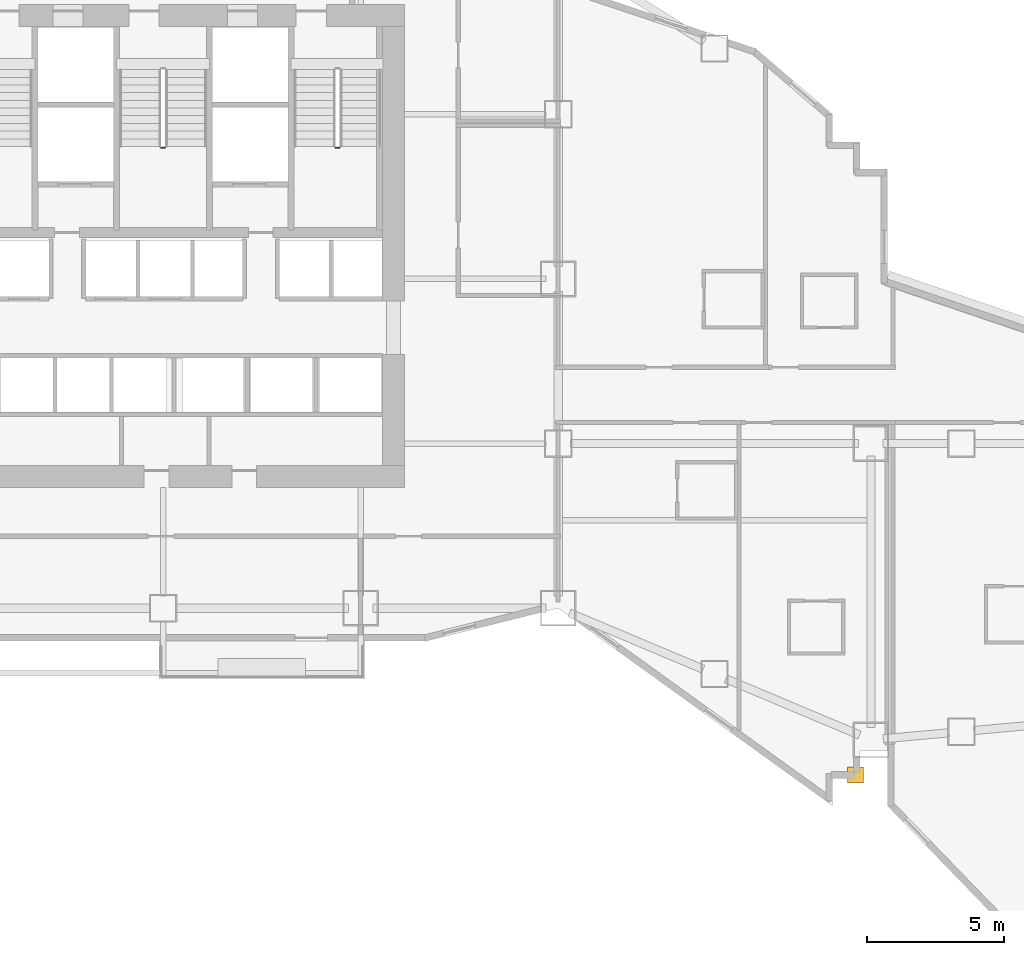
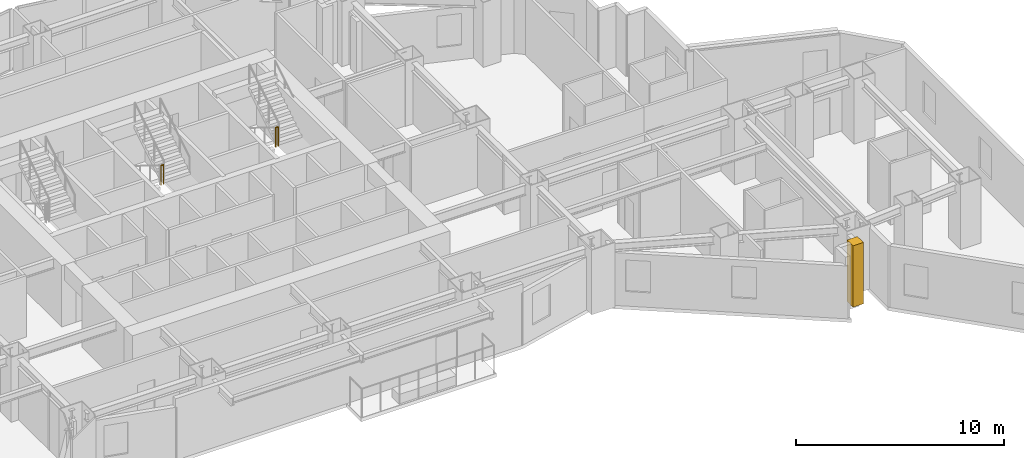
# One storey, part 15 of 17: 2 railings, 1 covering.
"""IFC4 building model written with IfcOpenShell, lengths in metres."""

import ifcopenshell
import ifcopenshell.guid

model = None  # the IFC model being written
_history = None  # IfcOwnerHistory: only IFC2X3 demands one
_inside = {}  # id of a spatial element -> (the spatial element, [elements in it])
_under = {}  # id of a project, library or spatial element -> (it, [spatial elements below it])
_declared = {}  # id of a project -> (the project, [libraries it declares])
_typed = {}  # id of a type object -> (the type object, [elements of that type])
_made_of = {}  # id of a material, layer set ... -> (it, [elements and type objects made of it])


def new_model(schema):
    """Start an empty IFC model of exactly this schema.

    Asked for "IFC4X3", IfcOpenShell would pick the latest addendum, in which some entities
    have other attributes; the version numbers below select the first issue.
    IFC2X3 requires an IfcOwnerHistory on every rooted entity: one is made here for all.
    """
    global model, _history
    if schema == "IFC4X3":
        model = ifcopenshell.file(schema_version=(4, 3, 0, 0))
    else:
        model = ifcopenshell.file(schema=schema)
    _inside.clear()
    _under.clear()
    _declared.clear()
    _typed.clear()
    _made_of.clear()
    _history = None
    if model.schema == "IFC2X3":
        org = make("IfcOrganization", Name="unknown")
        user = make(
            "IfcPersonAndOrganization",
            ThePerson=make("IfcPerson", FamilyName="unknown"),
            TheOrganization=org,
        )
        app = make(
            "IfcApplication",
            ApplicationDeveloper=org,
            Version="unknown",
            ApplicationFullName="unknown",
            ApplicationIdentifier="unknown",
        )
        _history = make(
            "IfcOwnerHistory",
            OwningUser=user,
            OwningApplication=app,
            ChangeAction="ADDED",
            CreationDate=0,
        )
    return model


def make(cls, **values):
    """One entity of the class cls with the attributes given. An attribute that is None is left unset."""
    return model.create_entity(
        cls, **{name: value for name, value in values.items() if value is not None}
    )


def rooted(cls, **values):
    """An entity with a GlobalId (a new one), such as an element, a storey or a relation."""
    return make(cls, GlobalId=ifcopenshell.guid.new(), OwnerHistory=_history, **values)


def si_unit(unit_type, name, prefix=None):
    """IfcSIUnit, for example si_unit("LENGTHUNIT", "METRE", prefix="MILLI")."""
    return make("IfcSIUnit", UnitType=unit_type, Prefix=prefix, Name=name)


def assignment(units):
    """IfcUnitAssignment: the units of a project."""
    return None if units is None else make("IfcUnitAssignment", Units=units)


def point(xyz):
    """IfcCartesianPoint."""
    return None if xyz is None else make("IfcCartesianPoint", Coordinates=xyz)


def direction(xyz):
    """IfcDirection."""
    return None if xyz is None else make("IfcDirection", DirectionRatios=xyz)


def frame(location, z_axis=None, x_axis=None):
    """IfcAxis2Placement3D, a coordinate frame: its origin and axes. An axis left out is left unset."""
    return make(
        "IfcAxis2Placement3D",
        Location=point(location),
        Axis=direction(z_axis),
        RefDirection=direction(x_axis),
    )


def frame_2d(location, x_axis=None):
    """IfcAxis2Placement2D, a coordinate frame in the plane: its origin and x axis."""
    return make(
        "IfcAxis2Placement2D", Location=point(location), RefDirection=direction(x_axis)
    )


def origin():
    """The frame at (0, 0, 0) with its axes left unset."""
    return frame((0.0, 0.0, 0.0))


def origin_2d():
    """The frame at (0, 0) in the plane with its x axis left unset."""
    return frame_2d((0.0, 0.0))


def place(relative_to, where):
    """IfcLocalPlacement: puts the frame where relative to a parent placement (None: the world)."""
    return make(
        "IfcLocalPlacement", PlacementRelTo=relative_to, RelativePlacement=where
    )


def context(
    kind, dimensions, precision=None, world=None, true_north=None, identifier=None
):
    """IfcGeometricRepresentationContext, for example the 3D "Model" context."""
    return make(
        "IfcGeometricRepresentationContext",
        ContextIdentifier=identifier,
        ContextType=kind,
        CoordinateSpaceDimension=dimensions,
        Precision=precision,
        WorldCoordinateSystem=world,
        TrueNorth=true_north,
    )


def subcontext(parent, identifier, kind, view, scale=None):
    """IfcGeometricRepresentationSubContext, for example "Body" below "Model"."""
    return make(
        "IfcGeometricRepresentationSubContext",
        ContextIdentifier=identifier,
        ContextType=kind,
        ParentContext=parent,
        TargetScale=scale,
        TargetView=view,
    )


def project(units=None, contexts=None):
    """IfcProject with its units and contexts."""
    return rooted(
        "IfcProject",
        Name="project",
        RepresentationContexts=contexts,
        UnitsInContext=assignment(units),
    )


def spatial(cls, under=None, at=None, **own):
    """A site, building, storey or space (cls), placed at a placement, below another one or the project."""
    s = rooted(cls, ObjectPlacement=at, **own)
    if under is not None:
        _under.setdefault(under.id(), (under, []))[1].append(s)
    return s


def profile(cls, at=None, kind="AREA", **sizes):
    """A parametric profile (cls). Its sizes go by their IFC names, for example OverallWidth=200.0."""
    return make(cls, ProfileType=kind, Position=at, **sizes)


def rectangle(**sizes):
    """IfcRectangleProfileDef."""
    return profile("IfcRectangleProfileDef", **sizes)


def circle(**sizes):
    """IfcCircleProfileDef."""
    return profile("IfcCircleProfileDef", **sizes)


def extrude(swept, where, along, depth):
    """IfcExtrudedAreaSolid: the profile swept, set in the frame where, extruded along a direction by depth."""
    return make(
        "IfcExtrudedAreaSolid",
        SweptArea=swept,
        Position=where,
        ExtrudedDirection=direction(along),
        Depth=depth,
    )


def shape(context_of_items, identifier, shape_type, items):
    """IfcShapeRepresentation: the items that make up one representation, for example the "Body"."""
    return make(
        "IfcShapeRepresentation",
        ContextOfItems=context_of_items,
        RepresentationIdentifier=identifier,
        RepresentationType=shape_type,
        Items=items,
    )


def material(Name=None, Category=None):
    """IfcMaterial."""
    return make("IfcMaterial", Name=Name, Category=Category)


def layer(
    of_material, thickness, ventilated=None, Name=None, Category=None, Priority=None
):
    """IfcMaterialLayer: one layer of a wall or slab, of a material (None: an air gap)."""
    return make(
        "IfcMaterialLayer",
        Material=of_material,
        LayerThickness=thickness,
        IsVentilated=ventilated,
        Name=Name,
        Category=Category,
        Priority=Priority,
    )


def layer_set(layers, Name=None):
    """IfcMaterialLayerSet."""
    return make("IfcMaterialLayerSet", MaterialLayers=layers, LayerSetName=Name)


def made_of(thing, what):
    """Note that an element or type object is made of a material, layer set ...; save() writes the relation."""
    if what is not None:
        _made_of.setdefault(what.id(), (what, []))[1].append(thing)
    return thing


def type_object(cls, material=None, **own):
    """A type object (cls), such as IfcWallType, which elements share."""
    return made_of(rooted(cls, **own), material)


def element(
    cls,
    number,
    at=None,
    inside=None,
    cuts=None,
    type_object=None,
    material=None,
    context=None,
    identifier="Body",
    shape_type=None,
    held_by="IfcProductDefinitionShape",
    body=None,
    shapes=None,
    **own,
):
    """One element of the class cls, such as IfcWall. Its Tag is "e" and its number.

    at: its placement. inside: the storey or other place that contains it. cuts: it is an
    opening in that element (IfcRelVoidsElement). A single representation is given by context,
    identifier, shape_type and body (its items); several are given by shapes. held_by: the class
    of the entity that holds the representations. save() writes the other relations.
    """
    e = rooted(cls, Tag="e%d" % number, ObjectPlacement=at, **own)
    if body is not None:
        shapes = [shape(context, identifier, shape_type, body)]
    if shapes is not None:
        e.Representation = make(held_by, Representations=shapes)
    if inside is not None:
        _inside.setdefault(inside.id(), (inside, []))[1].append(e)
    if cuts is not None:
        rooted(
            "IfcRelVoidsElement", RelatingBuildingElement=cuts, RelatedOpeningElement=e
        )
    if type_object is not None:
        _typed.setdefault(type_object.id(), (type_object, []))[1].append(e)
    return made_of(e, material)


def aggregate(whole, parts):
    """IfcRelAggregates: a whole, such as a stair, and the parts it consists of."""
    return rooted("IfcRelAggregates", RelatingObject=whole, RelatedObjects=parts)


def save(model, path):
    """Write the relations noted so far, then the file.

    IfcRelAggregates (storeys below a building ...), IfcRelContainedInSpatialStructure (elements
    in a storey), IfcRelDefinesByType, IfcRelAssociatesMaterial and IfcRelDeclares: one each for
    every whole, place, type object, material and project.
    """
    for whole, parts in _under.values():
        aggregate(whole, parts)
    for where, things in _inside.values():
        rooted(
            "IfcRelContainedInSpatialStructure",
            RelatedElements=things,
            RelatingStructure=where,
        )
    for kind, things in _typed.values():
        rooted("IfcRelDefinesByType", RelatedObjects=things, RelatingType=kind)
    for what, things in _made_of.values():
        rooted("IfcRelAssociatesMaterial", RelatedObjects=things, RelatingMaterial=what)
    for by, libraries in _declared.values():
        rooted("IfcRelDeclares", RelatingContext=by, RelatedDefinitions=libraries)
    model.write(path)


model = new_model("IFC4")

# Units and contexts
model_context = context("Model", 3, precision=1e-05, world=origin(), true_north=direction((0.0, 1.0)))
body_context = subcontext(model_context, "Body", "Model", "MODEL_VIEW")
ifc_project = project(units=[si_unit("LENGTHUNIT", "METRE"), si_unit("AREAUNIT", "SQUARE_METRE"), si_unit("VOLUMEUNIT", "CUBIC_METRE"), si_unit("PLANEANGLEUNIT", "RADIAN"), si_unit("MASSUNIT", "GRAM", prefix="KILO")], contexts=[model_context])

# Site, building, storey
site_placement = place(None, origin())
site = spatial("IfcSite", under=ifc_project, at=site_placement, CompositionType="ELEMENT")
building_placement = place(site_placement, origin())
building = spatial("IfcBuilding", under=site, at=building_placement, Name="Haolan Belvedere Tower", CompositionType="ELEMENT")
storey_placement = place(building_placement, frame((0.0, 0.0, 35.39990234375)))
storey = spatial("IfcBuildingStorey", under=building, at=storey_placement, Name="L08", CompositionType="ELEMENT", Elevation=35.39990234375)

# Covering
ifc_material_1 = material(Name="Pale champagne-silver anodised aluminium rainscreen cladding", Category="aluminium")
ifc_layer = layer(ifc_material_1, 0.034912109375, Name="Pale champagne-silver anodised aluminium rainscreen cladding")
ifc_layer_set = layer_set([ifc_layer], Name="Pale champagne-silver anodised aluminium rainscreen cladding")
covering_type = type_object("IfcCoveringType", Name="COV-CLAD-35", PredefinedType="CLADDING", material=ifc_layer_set)
covering_placement = place(storey_placement, frame((63.637451171875, 15.52001953125, 0.0), z_axis=(0.0, 0.0, 1.0), x_axis=(1.0, 0.0, 0.0)))
element("IfcCovering", 1, at=covering_placement, inside=storey, type_object=covering_type, Name="L08 pale-metal serrated corner cladding trim 4", PredefinedType="CLADDING", context=body_context, shape_type="SweptSolid", body=[
    extrude(rectangle(XDim=0.580078125, YDim=0.580078125, at=origin_2d()), origin(), (0.0, 0.0, 1.0), 3.60009765625),
])

# Railings
ifc_material_2 = material(Name="Brushed stainless steel 304", Category="steel")
railing_type = type_object("IfcRailingType", Name="RL-STAIR-GRD-1150", PredefinedType="GUARDRAIL", material=ifc_material_2)
railing_1_placement = place(storey_placement, frame((38.330078125, 38.3798828125, 1.900146484375)))
element("IfcRailing", 2, at=railing_1_placement, inside=storey, type_object=railing_type, Name="L08 ST3 stair guard 2", PredefinedType="GUARDRAIL", context=body_context, shape_type="SweptSolid", body=[
    extrude(circle(Radius=0.02392578125, at=origin_2d()), frame((0.0, 0.0, 1.1259765625), z_axis=(1.0, 0.0, 0.0), x_axis=(0.0, 1.0, 0.0)), (0.0, 0.0, 1.0), 0.139892578125),
    extrude(circle(Radius=0.02099609375, at=origin_2d()), origin(), (0.0, 0.0, 1.0), 1.101806640625),
    extrude(circle(Radius=0.02099609375, at=origin_2d()), frame((0.139892578125, 0.0, 0.0)), (0.0, 0.0, 1.0), 1.101806640625),
])
railing_2_placement = place(storey_placement, frame((44.68994140625, 38.3798828125, 1.900146484375)))
element("IfcRailing", 3, at=railing_2_placement, inside=storey, type_object=railing_type, Name="L08 ST2 stair guard 2", PredefinedType="GUARDRAIL", context=body_context, shape_type="SweptSolid", body=[
    extrude(circle(Radius=0.02392578125, at=origin_2d()), frame((0.0, 0.0, 1.1259765625), z_axis=(1.0, 0.0, 0.0), x_axis=(0.0, 1.0, 0.0)), (0.0, 0.0, 1.0), 0.14013671875),
    extrude(circle(Radius=0.02099609375, at=origin_2d()), origin(), (0.0, 0.0, 1.0), 1.101806640625),
    extrude(circle(Radius=0.02099609375, at=origin_2d()), frame((0.14013671875, 0.0, 0.0)), (0.0, 0.0, 1.0), 1.101806640625),
])

save(model, "model.ifc")
